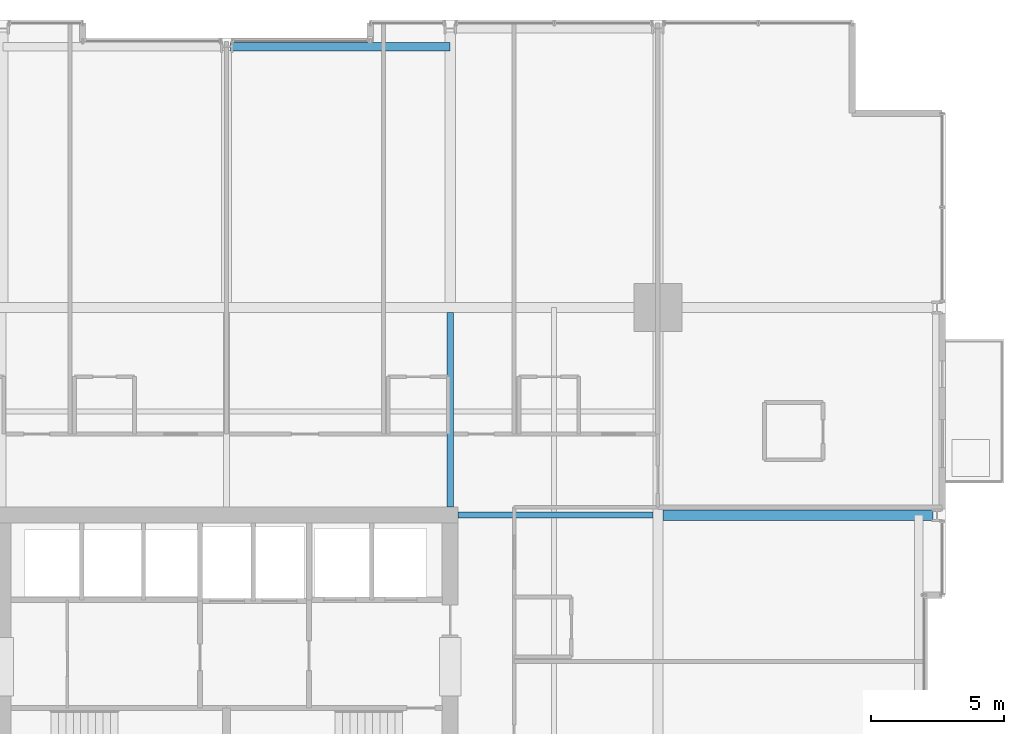
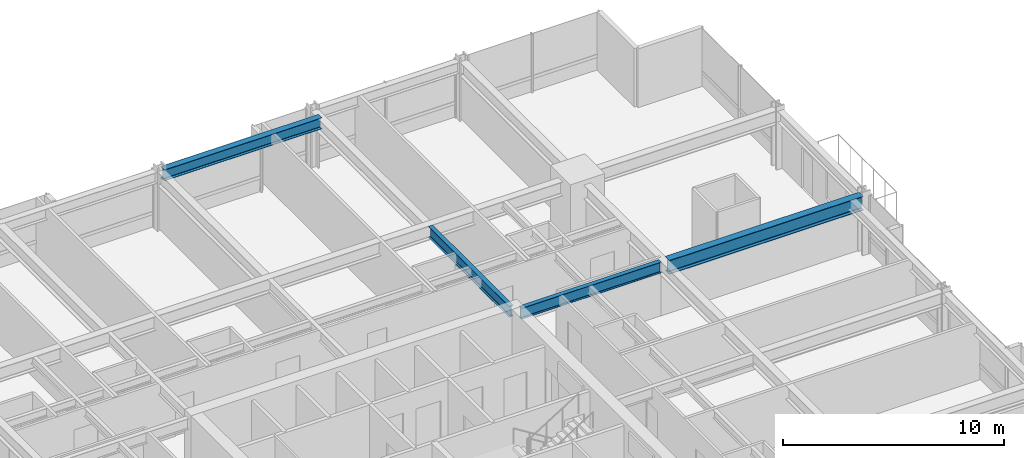
# One storey, part 24 of 38: 4 beams.
"""IFC4 building model written with IfcOpenShell, lengths in metres."""

from ifc_helpers import new_model, si_unit, direction, frame, origin, origin_2d, place, context, subcontext, project, spatial, i_section, extrude, material, material_profile, profile_set, type_object, element, save


model = new_model("IFC4")

# Units and contexts
model_context = context("Model", 3, precision=1e-05, world=origin(), true_north=direction((0.0, 1.0)))
body_context = subcontext(model_context, "Body", "Model", "MODEL_VIEW")
ifc_project = project(units=[si_unit("LENGTHUNIT", "METRE"), si_unit("AREAUNIT", "SQUARE_METRE"), si_unit("VOLUMEUNIT", "CUBIC_METRE"), si_unit("PLANEANGLEUNIT", "RADIAN"), si_unit("MASSUNIT", "GRAM", prefix="KILO")], contexts=[model_context])

# Site, building, storey
site_placement = place(None, origin())
site = spatial("IfcSite", under=ifc_project, at=site_placement, CompositionType="ELEMENT")
building_placement = place(site_placement, origin())
building = spatial("IfcBuilding", under=site, at=building_placement, Name="Drelvath Grand Hotel", CompositionType="ELEMENT")
storey_placement = place(building_placement, frame((0.0, 0.0, 64.699951171875)))
storey = spatial("IfcBuildingStorey", under=building, at=storey_placement, Name="L15", CompositionType="ELEMENT", Elevation=64.699951171875)

# Beams
ifc_material = material(Name="Steel ASTM A992 Gr 50", Category="steel")
ifc_material_profile_1 = material_profile(ifc_material, i_section(OverallWidth=0.323974609375, OverallDepth=0.611083984375, WebThickness=0.0126953125, FlangeThickness=0.01904296875, FilletRadius=0.02197265625, at=origin_2d()), Name="W24X104")
ifc_profile_set_1 = profile_set([ifc_material_profile_1], Name="Steel ASTM A992 Gr 50")
beam_type_1 = type_object("IfcBeamType", Name="Perimeter Spandrel Beam W24X104", PredefinedType="SPANDREL", material=ifc_profile_set_1)
beam_1_placement = place(storey_placement, frame((0.139892578125, 53.0, 2.9345703125), z_axis=(1.0, 0.0, 0.0), x_axis=(0.0, 1.0, 0.0)))
element("IfcBeam", 1, at=beam_1_placement, inside=storey, type_object=beam_type_1, Name="L15 Spandrel North Mid E", PredefinedType="SPANDREL", context=body_context, shape_type="SweptSolid", body=[
    extrude(i_section(OverallWidth=0.323974609375, OverallDepth=0.611083984375, WebThickness=0.0126953125, FlangeThickness=0.01904296875, FilletRadius=0.02197265625, at=origin_2d()), origin(), (0.0, 0.0, 1.0), 8.260009765625),
])
ifc_material_profile_2 = material_profile(ifc_material, i_section(OverallWidth=0.228271484375, OverallDepth=0.607666015625, WebThickness=0.01123046875, FlangeThickness=0.017333984375, FilletRadius=0.02001953125, at=origin_2d()), Name="W24X76")
ifc_profile_set_2 = profile_set([ifc_material_profile_2], Name="Steel ASTM A992 Gr 50")
beam_type_2 = type_object("IfcBeamType", Name="Primary Floor Girder W24X76", PredefinedType="BEAM", material=ifc_profile_set_2)
for number, where, z_axis, x_axis, name in (
    (2, (8.699951171875, 35.39990234375, 2.936279296875), (1.0, 0.0, 0.0), (0.0, 1.0, 0.0), "L15 East Core Tie F"),
    (3, (8.39990234375, 35.699951171875, 2.936279296875), (0.0, 1.0, 0.0), (-1.0, 0.0, 0.0), "L15 North Core Tie 6"),
):
    element("IfcBeam", number, at=place(storey_placement, frame(where, z_axis=z_axis, x_axis=x_axis)), inside=storey, type_object=beam_type_2, Name=name, PredefinedType="BEAM", context=body_context, shape_type="SweptSolid", body=[
        extrude(i_section(OverallWidth=0.228271484375, OverallDepth=0.607666015625, WebThickness=0.01123046875, FlangeThickness=0.017333984375, FilletRadius=0.02001953125, at=origin_2d()), origin(), (0.0, 0.0, 1.0), 7.309814453125),
    ])
ifc_material_profile_3 = material_profile(ifc_material, i_section(OverallWidth=0.380615234375, OverallDepth=0.773193359375, WebThickness=0.0166015625, FlangeThickness=0.027099609375, FilletRadius=0.02490234375, at=origin_2d()), Name="W30X173")
ifc_profile_set_3 = profile_set([ifc_material_profile_3], Name="Steel ASTM A992 Gr 50")
beam_type_3 = type_object("IfcBeamType", Name="Primary Floor Girder W30X173", PredefinedType="BEAM", material=ifc_profile_set_3)
beam_2_placement = place(storey_placement, frame((16.390380859375, 35.39990234375, 2.853515625), z_axis=(1.0, 0.0, 0.0), x_axis=(0.0, 1.0, 0.0)))
element("IfcBeam", 4, at=beam_2_placement, inside=storey, type_object=beam_type_3, Name="L15 East Wing Girder F", PredefinedType="BEAM", context=body_context, shape_type="SweptSolid", body=[
    extrude(i_section(OverallWidth=0.380615234375, OverallDepth=0.773193359375, WebThickness=0.0166015625, FlangeThickness=0.027099609375, FilletRadius=0.02490234375, at=origin_2d()), origin(), (0.0, 0.0, 1.0), 10.149658203125),
])

save(model, "model.ifc")
